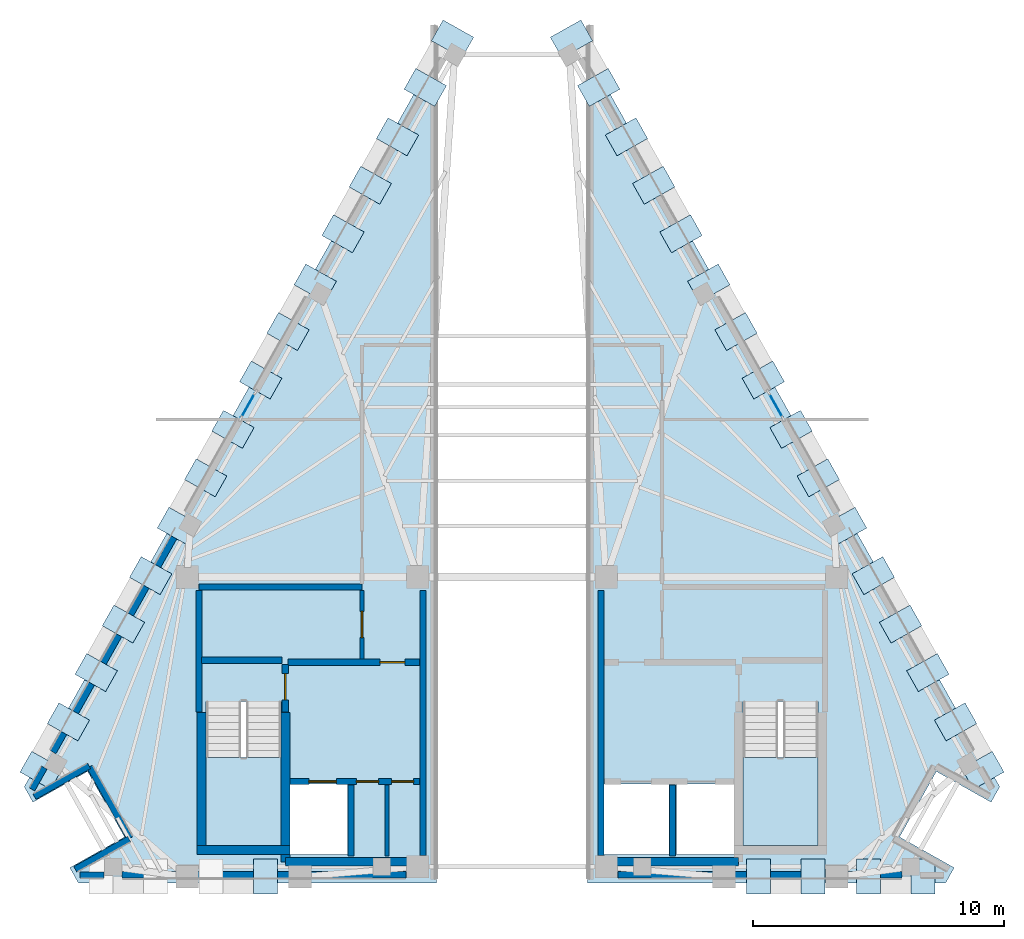
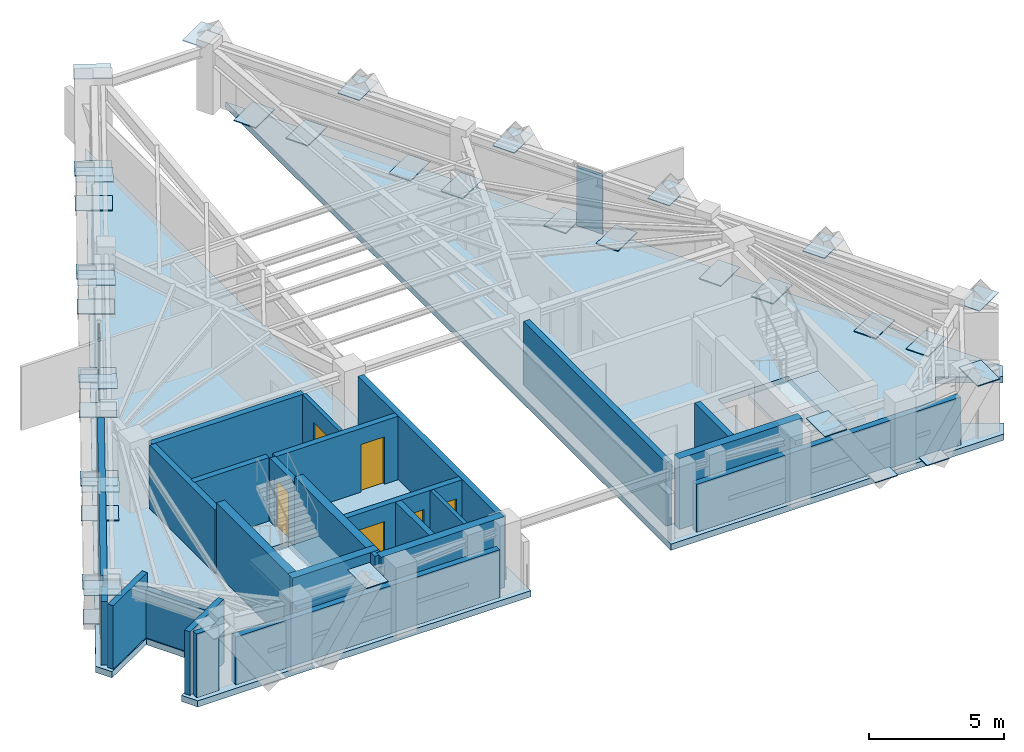
# One storey, part 3 of 6: 39 plates, 25 walls, 6 doors, 4 slabs, 6 openings, 4 elements without a shape of their own.
"""IFC4 building model written with IfcOpenShell, lengths in metres."""

import ifcopenshell
import ifcopenshell.guid

model = None  # the IFC model being written
_history = None  # IfcOwnerHistory: only IFC2X3 demands one
_inside = {}  # id of a spatial element -> (the spatial element, [elements in it])
_under = {}  # id of a project, library or spatial element -> (it, [spatial elements below it])
_declared = {}  # id of a project -> (the project, [libraries it declares])
_typed = {}  # id of a type object -> (the type object, [elements of that type])
_made_of = {}  # id of a material, layer set ... -> (it, [elements and type objects made of it])


def new_model(schema):
    """Start an empty IFC model of exactly this schema.

    Asked for "IFC4X3", IfcOpenShell would pick the latest addendum, in which some entities
    have other attributes; the version numbers below select the first issue.
    IFC2X3 requires an IfcOwnerHistory on every rooted entity: one is made here for all.
    """
    global model, _history
    if schema == "IFC4X3":
        model = ifcopenshell.file(schema_version=(4, 3, 0, 0))
    else:
        model = ifcopenshell.file(schema=schema)
    _inside.clear()
    _under.clear()
    _declared.clear()
    _typed.clear()
    _made_of.clear()
    _history = None
    if model.schema == "IFC2X3":
        org = make("IfcOrganization", Name="unknown")
        user = make(
            "IfcPersonAndOrganization",
            ThePerson=make("IfcPerson", FamilyName="unknown"),
            TheOrganization=org,
        )
        app = make(
            "IfcApplication",
            ApplicationDeveloper=org,
            Version="unknown",
            ApplicationFullName="unknown",
            ApplicationIdentifier="unknown",
        )
        _history = make(
            "IfcOwnerHistory",
            OwningUser=user,
            OwningApplication=app,
            ChangeAction="ADDED",
            CreationDate=0,
        )
    return model


def make(cls, **values):
    """One entity of the class cls with the attributes given. An attribute that is None is left unset."""
    return model.create_entity(
        cls, **{name: value for name, value in values.items() if value is not None}
    )


def rooted(cls, **values):
    """An entity with a GlobalId (a new one), such as an element, a storey or a relation."""
    return make(cls, GlobalId=ifcopenshell.guid.new(), OwnerHistory=_history, **values)


def si_unit(unit_type, name, prefix=None):
    """IfcSIUnit, for example si_unit("LENGTHUNIT", "METRE", prefix="MILLI")."""
    return make("IfcSIUnit", UnitType=unit_type, Prefix=prefix, Name=name)


def assignment(units):
    """IfcUnitAssignment: the units of a project."""
    return None if units is None else make("IfcUnitAssignment", Units=units)


def point(xyz):
    """IfcCartesianPoint."""
    return None if xyz is None else make("IfcCartesianPoint", Coordinates=xyz)


def direction(xyz):
    """IfcDirection."""
    return None if xyz is None else make("IfcDirection", DirectionRatios=xyz)


def frame(location, z_axis=None, x_axis=None):
    """IfcAxis2Placement3D, a coordinate frame: its origin and axes. An axis left out is left unset."""
    return make(
        "IfcAxis2Placement3D",
        Location=point(location),
        Axis=direction(z_axis),
        RefDirection=direction(x_axis),
    )


def frame_2d(location, x_axis=None):
    """IfcAxis2Placement2D, a coordinate frame in the plane: its origin and x axis."""
    return make(
        "IfcAxis2Placement2D", Location=point(location), RefDirection=direction(x_axis)
    )


def origin():
    """The frame at (0, 0, 0) with its axes left unset."""
    return frame((0.0, 0.0, 0.0))


def origin_2d():
    """The frame at (0, 0) in the plane with its x axis left unset."""
    return frame_2d((0.0, 0.0))


def place(relative_to, where):
    """IfcLocalPlacement: puts the frame where relative to a parent placement (None: the world)."""
    return make(
        "IfcLocalPlacement", PlacementRelTo=relative_to, RelativePlacement=where
    )


def context(
    kind, dimensions, precision=None, world=None, true_north=None, identifier=None
):
    """IfcGeometricRepresentationContext, for example the 3D "Model" context."""
    return make(
        "IfcGeometricRepresentationContext",
        ContextIdentifier=identifier,
        ContextType=kind,
        CoordinateSpaceDimension=dimensions,
        Precision=precision,
        WorldCoordinateSystem=world,
        TrueNorth=true_north,
    )


def subcontext(parent, identifier, kind, view, scale=None):
    """IfcGeometricRepresentationSubContext, for example "Body" below "Model"."""
    return make(
        "IfcGeometricRepresentationSubContext",
        ContextIdentifier=identifier,
        ContextType=kind,
        ParentContext=parent,
        TargetScale=scale,
        TargetView=view,
    )


def project(units=None, contexts=None):
    """IfcProject with its units and contexts."""
    return rooted(
        "IfcProject",
        Name="project",
        RepresentationContexts=contexts,
        UnitsInContext=assignment(units),
    )


def spatial(cls, under=None, at=None, **own):
    """A site, building, storey or space (cls), placed at a placement, below another one or the project."""
    s = rooted(cls, ObjectPlacement=at, **own)
    if under is not None:
        _under.setdefault(under.id(), (under, []))[1].append(s)
    return s


def polyline(points):
    """IfcPolyline through the points."""
    return make("IfcPolyline", Points=[point(p) for p in points])


def profile(cls, at=None, kind="AREA", **sizes):
    """A parametric profile (cls). Its sizes go by their IFC names, for example OverallWidth=200.0."""
    return make(cls, ProfileType=kind, Position=at, **sizes)


def rectangle(**sizes):
    """IfcRectangleProfileDef."""
    return profile("IfcRectangleProfileDef", **sizes)


def outline(outer, holes=None, kind="AREA"):
    """IfcArbitraryClosedProfileDef: a profile drawn as a closed curve; with holes, ...WithVoids."""
    if holes is None:
        return make("IfcArbitraryClosedProfileDef", ProfileType=kind, OuterCurve=outer)
    return make(
        "IfcArbitraryProfileDefWithVoids",
        ProfileType=kind,
        OuterCurve=outer,
        InnerCurves=holes,
    )


def extrude(swept, where, along, depth):
    """IfcExtrudedAreaSolid: the profile swept, set in the frame where, extruded along a direction by depth."""
    return make(
        "IfcExtrudedAreaSolid",
        SweptArea=swept,
        Position=where,
        ExtrudedDirection=direction(along),
        Depth=depth,
    )


def shape(context_of_items, identifier, shape_type, items):
    """IfcShapeRepresentation: the items that make up one representation, for example the "Body"."""
    return make(
        "IfcShapeRepresentation",
        ContextOfItems=context_of_items,
        RepresentationIdentifier=identifier,
        RepresentationType=shape_type,
        Items=items,
    )


def material(Name=None, Category=None):
    """IfcMaterial."""
    return make("IfcMaterial", Name=Name, Category=Category)


def layer(
    of_material, thickness, ventilated=None, Name=None, Category=None, Priority=None
):
    """IfcMaterialLayer: one layer of a wall or slab, of a material (None: an air gap)."""
    return make(
        "IfcMaterialLayer",
        Material=of_material,
        LayerThickness=thickness,
        IsVentilated=ventilated,
        Name=Name,
        Category=Category,
        Priority=Priority,
    )


def layer_set(layers, Name=None):
    """IfcMaterialLayerSet."""
    return make("IfcMaterialLayerSet", MaterialLayers=layers, LayerSetName=Name)


def made_of(thing, what):
    """Note that an element or type object is made of a material, layer set ...; save() writes the relation."""
    if what is not None:
        _made_of.setdefault(what.id(), (what, []))[1].append(thing)
    return thing


def type_object(cls, material=None, **own):
    """A type object (cls), such as IfcWallType, which elements share."""
    return made_of(rooted(cls, **own), material)


def element(
    cls,
    number,
    at=None,
    inside=None,
    cuts=None,
    type_object=None,
    material=None,
    context=None,
    identifier="Body",
    shape_type=None,
    held_by="IfcProductDefinitionShape",
    body=None,
    shapes=None,
    **own,
):
    """One element of the class cls, such as IfcWall. Its Tag is "e" and its number.

    at: its placement. inside: the storey or other place that contains it. cuts: it is an
    opening in that element (IfcRelVoidsElement). A single representation is given by context,
    identifier, shape_type and body (its items); several are given by shapes. held_by: the class
    of the entity that holds the representations. save() writes the other relations.
    """
    e = rooted(cls, Tag="e%d" % number, ObjectPlacement=at, **own)
    if body is not None:
        shapes = [shape(context, identifier, shape_type, body)]
    if shapes is not None:
        e.Representation = make(held_by, Representations=shapes)
    if inside is not None:
        _inside.setdefault(inside.id(), (inside, []))[1].append(e)
    if cuts is not None:
        rooted(
            "IfcRelVoidsElement", RelatingBuildingElement=cuts, RelatedOpeningElement=e
        )
    if type_object is not None:
        _typed.setdefault(type_object.id(), (type_object, []))[1].append(e)
    return made_of(e, material)


def fill(opening, filler):
    """IfcRelFillsElement: the door or window that sits in an opening."""
    return rooted(
        "IfcRelFillsElement",
        RelatingOpeningElement=opening,
        RelatedBuildingElement=filler,
    )


def aggregate(whole, parts):
    """IfcRelAggregates: a whole, such as a stair, and the parts it consists of."""
    return rooted("IfcRelAggregates", RelatingObject=whole, RelatedObjects=parts)


def save(model, path):
    """Write the relations noted so far, then the file.

    IfcRelAggregates (storeys below a building ...), IfcRelContainedInSpatialStructure (elements
    in a storey), IfcRelDefinesByType, IfcRelAssociatesMaterial and IfcRelDeclares: one each for
    every whole, place, type object, material and project.
    """
    for whole, parts in _under.values():
        aggregate(whole, parts)
    for where, things in _inside.values():
        rooted(
            "IfcRelContainedInSpatialStructure",
            RelatedElements=things,
            RelatingStructure=where,
        )
    for kind, things in _typed.values():
        rooted("IfcRelDefinesByType", RelatedObjects=things, RelatingType=kind)
    for what, things in _made_of.values():
        rooted("IfcRelAssociatesMaterial", RelatedObjects=things, RelatingMaterial=what)
    for by, libraries in _declared.values():
        rooted("IfcRelDeclares", RelatingContext=by, RelatedDefinitions=libraries)
    model.write(path)


model = new_model("IFC4")

# Units and contexts
model_context = context("Model", 3, precision=1e-05, world=origin(), true_north=direction((0.0, 1.0)))
body_context = subcontext(model_context, "Body", "Model", "MODEL_VIEW")
ifc_project = project(units=[si_unit("LENGTHUNIT", "METRE"), si_unit("AREAUNIT", "SQUARE_METRE"), si_unit("VOLUMEUNIT", "CUBIC_METRE"), si_unit("PLANEANGLEUNIT", "RADIAN"), si_unit("MASSUNIT", "GRAM", prefix="KILO")], contexts=[model_context])

# Site, building, storey
site_placement = place(None, origin())
site = spatial("IfcSite", under=ifc_project, at=site_placement, CompositionType="ELEMENT")
building_placement = place(site_placement, origin())
building = spatial("IfcBuilding", under=site, at=building_placement, Name="Quenlor Broadcast Tower", CompositionType="ELEMENT")
storey_placement = place(building_placement, frame((0.0, 0.0, 277.300048828125)))
storey = spatial("IfcBuildingStorey", under=building, at=storey_placement, Name="L77", CompositionType="ELEMENT", Elevation=277.300048828125)

# Curtain wall, plate
ifc_material_1 = material(Name="Architectural Terracotta and Low-E Glazing", Category="masonry")
curtain_wall_type = type_object("IfcCurtainWallType", Name="Station Concourse and Crown Terracotta Curtain Wall", PredefinedType="NOTDEFINED", material=ifc_material_1)
curtain_wall_1_placement = place(storey_placement, origin())
curtain_wall_1 = element("IfcCurtainWall", 1, at=curtain_wall_1_placement, inside=storey, type_object=curtain_wall_type, Name="L77 Curtain Wall CW6 (L77-NE-G1)", PredefinedType="NOTDEFINED")
ifc_material_2 = material(Name="Double Glazed Low-E Solar Glass", Category="glass")
ifc_layer_1 = layer(ifc_material_2, 0.033935546875)
ifc_layer_set_1 = layer_set([ifc_layer_1], Name="CW6 Double Glazed Vision Panel 34")
plate_type_1 = type_object("IfcPlateType", Name="CW6 Double Glazed Vision Panel 34", PredefinedType="CURTAIN_PANEL", material=ifc_layer_set_1)
plate_1_placement = place(storey_placement, frame((10.5166015625, 2.040771484375, 0.08203125), z_axis=(0.0, 0.0, 1.0), x_axis=(0.490302065441, -0.871552571349, 0.0)))
plate_1 = element("IfcPlate", 2, at=plate_1_placement, type_object=plate_type_1, Name="CW6 panel 1.1", PredefinedType="CURTAIN_PANEL", context=body_context, shape_type="SweptSolid", body=[
    extrude(rectangle(XDim=1.115234375, YDim=0.033935546875, at=origin_2d()), origin(), (0.0, 0.0, 1.0), 2.716064453125),
])
aggregate(curtain_wall_1, [plate_1])

curtain_wall_2_placement = place(storey_placement, origin())
curtain_wall_2 = element("IfcCurtainWall", 3, at=curtain_wall_2_placement, inside=storey, type_object=curtain_wall_type, Name="L77 Curtain Wall CW6 (L77-NW-G1)", PredefinedType="NOTDEFINED")
plate_2_placement = place(storey_placement, frame((-10.5166015625, 2.040771484375, 0.08203125), z_axis=(0.0, 0.0, 1.0), x_axis=(0.490302065441, 0.871552571349, 0.0)))
plate_2 = element("IfcPlate", 4, at=plate_2_placement, type_object=plate_type_1, Name="CW6 panel 1.1", PredefinedType="CURTAIN_PANEL", context=body_context, shape_type="SweptSolid", body=[
    extrude(rectangle(XDim=1.115234375, YDim=0.033935546875, at=origin_2d()), origin(), (0.0, 0.0, 1.0), 2.716064453125),
])
aggregate(curtain_wall_2, [plate_2])

# Stair, slab
ifc_material_3 = material(Name="Precast concrete C40/50", Category="concrete")
stair_type = type_object("IfcStairType", Name="Precast Concrete C40/50 Dogleg Stair H320", PredefinedType="HALF_TURN_STAIR", material=ifc_material_3)
stair_1_placement = place(storey_placement, origin())
stair_1 = element("IfcStair", 5, at=stair_1_placement, inside=storey, type_object=stair_type, Name="L77 West Core Fire-Isolated Exit Stair ST-1", PredefinedType="HALF_TURN_STAIR")
ifc_material_4 = material(Name="Precast concrete C40/50", Category="concrete")
ifc_layer_2 = layer(ifc_material_4, 0.199951171875)
ifc_layer_set_2 = layer_set([ifc_layer_2], Name="Precast Concrete C40/50 Stair Landing Slab 200")
slab_type_1 = type_object("IfcSlabType", Name="Precast Concrete C40/50 Stair Landing Slab 200", PredefinedType="LANDING", material=ifc_layer_set_2)
slab_1_placement = place(storey_placement, frame((0.0, 0.0, 1.39990234375)))
slab_1 = element("IfcSlab", 6, at=slab_1_placement, type_object=slab_type_1, Name="ST-1 landing 1", PredefinedType="LANDING", context=body_context, shape_type="SweptSolid", body=[
    extrude(outline(polyline([(-12.199951171875, -11.989990234375), (-12.199951171875, -15.5), (-9.199951171875, -15.5), (-9.199951171875, -11.989990234375), (-12.199951171875, -11.989990234375)])), origin(), (0.0, 0.0, 1.0), 0.199951171875),
])
aggregate(stair_1, [slab_1])

stair_2_placement = place(storey_placement, origin())
stair_2 = element("IfcStair", 7, at=stair_2_placement, inside=storey, type_object=stair_type, Name="L77 East Core Fire-Isolated Exit Stair ST-2", PredefinedType="HALF_TURN_STAIR")
slab_2_placement = place(storey_placement, frame((0.0, 0.0, 1.39990234375)))
slab_2 = element("IfcSlab", 8, at=slab_2_placement, type_object=slab_type_1, Name="ST-2 landing 1", PredefinedType="LANDING", context=body_context, shape_type="SweptSolid", body=[
    extrude(outline(polyline([(9.199951171875, -11.989990234375), (9.199951171875, -15.5), (12.199951171875, -15.5), (12.199951171875, -11.989990234375), (9.199951171875, -11.989990234375)])), origin(), (0.0, 0.0, 1.0), 0.199951171875),
])
aggregate(stair_2, [slab_2])

# Plates
ifc_material_5 = material(Name="Steel S355", Category="steel")
ifc_layer_3 = layer(ifc_material_5, 0.035888671875)
ifc_layer_set_3 = layer_set([ifc_layer_3], Name="Transfer Truss Steel S355 Gusset Node Plate 1400x950x36")
plate_type_2 = type_object("IfcPlateType", Name="Transfer Truss Steel S355 Gusset Node Plate 1400x950x36", PredefinedType="SHEET", material=ifc_layer_set_3)
for number, where, z_axis, x_axis, name in (
    (9, (11.998779296875, -16.735107421875, 0.0419921875), (0.0, 0.0, 1.0), (0.0, -1.0, 0.0), "L77 Lattice Tie Gusset Node S-B2"),
    (10, (9.827880859375, -16.735107421875, 2.8818359375), (0.0, 0.0, 1.0), (0.0, -1.0, 0.0), "L77 Lattice Tie Gusset Node S-T3"),
    (11, (14.208984375, -16.735107421875, 0.0419921875), (0.0, 0.0, 1.0), (0.0, -1.0, 0.0), "L77 Lattice Tie Gusset Node S-B1"),
    (12, (16.3798828125, -16.735107421875, 2.8818359375), (0.0, 0.0, 1.0), (0.0, -1.0, 0.0), "L77 Lattice Tie Gusset Node S-T0"),
    (13, (-9.827880859375, -16.735107421875, 2.8818359375), (0.0, 0.0, 1.0), (0.0, -1.0, 0.0), "L77 Lattice Tie Gusset Node S-T12"),
    (14, (4.56298828125, 12.747314453125, 0.0419921875), (0.0, 0.0, 1.0), (0.871556314255, 0.490295412055, 0.0), "L77 Lattice Tie Gusset Node NE-B2"),
    (15, (5.649658203125, 10.8154296875, 2.8818359375), (0.0, 0.0, 1.0), (0.871556314255, 0.490295412055, 0.0), "L77 Lattice Tie Gusset Node NE-T3"),
    (16, (3.456787109375, 14.7138671875, 0.0419921875), (0.0, 0.0, 1.0), (0.871556314255, 0.490295412055, 0.0), "L77 Lattice Tie Gusset Node NE-B1"),
    (17, (2.3701171875, 16.645751953125, 2.8818359375), (0.0, 0.0, 1.0), (0.871556314255, 0.490295412055, 0.0), "L77 Lattice Tie Gusset Node NE-T0"),
    (18, (7.842529296875, 6.9169921875, 0.0419921875), (0.0, 0.0, 1.0), (0.871556314255, 0.490295412055, 0.0), "L77 Lattice Tie Gusset Node NE-B5"),
    (19, (8.92919921875, 4.985107421875, 2.8818359375), (0.0, 0.0, 1.0), (0.871556314255, 0.490295412055, 0.0), "L77 Lattice Tie Gusset Node NE-T6"),
    (20, (6.736328125, 8.8837890625, 0.0419921875), (0.0, 0.0, 1.0), (0.871556314255, 0.490295412055, 0.0), "L77 Lattice Tie Gusset Node NE-B4"),
    (21, (11.1220703125, 1.086669921875, 0.0419921875), (0.0, 0.0, 1.0), (0.871556314255, 0.490295412055, 0.0), "L77 Lattice Tie Gusset Node NE-B8"),
    (22, (12.208740234375, -0.844970703125, 2.8818359375), (0.0, 0.0, 1.0), (0.871556314255, 0.490295412055, 0.0), "L77 Lattice Tie Gusset Node NE-T9"),
    (23, (10.015869140625, 3.053466796875, 0.0419921875), (0.0, 0.0, 1.0), (0.871556314255, 0.490295412055, 0.0), "L77 Lattice Tie Gusset Node NE-B7"),
    (24, (14.401611328125, -4.743408203125, 0.0419921875), (0.0, 0.0, 1.0), (0.871556314255, 0.490295412055, 0.0), "L77 Lattice Tie Gusset Node NE-B11"),
    (25, (15.48828125, -6.67529296875, 2.8818359375), (0.0, 0.0, 1.0), (0.871556314255, 0.490295412055, 0.0), "L77 Lattice Tie Gusset Node NE-T12"),
    (26, (13.29541015625, -2.77685546875, 0.0419921875), (0.0, 0.0, 1.0), (0.871556314255, 0.490295412055, 0.0), "L77 Lattice Tie Gusset Node NE-B10"),
    (27, (17.68115234375, -10.57373046875, 0.0419921875), (0.0, 0.0, 1.0), (0.871556314255, 0.490295412055, 0.0), "L77 Lattice Tie Gusset Node NE-B14"),
    (28, (18.767822265625, -12.505615234375, 2.8818359375), (0.0, 0.0, 1.0), (0.871556314255, 0.490295412055, 0.0), "L77 Lattice Tie Gusset Node NE-T15"),
    (29, (16.574951171875, -8.60693359375, 0.0419921875), (0.0, 0.0, 1.0), (0.871556314255, 0.490295412055, 0.0), "L77 Lattice Tie Gusset Node NE-B13"),
    (30, (-16.574951171875, -8.60693359375, 0.0419921875), (0.0, 0.0, 1.0), (-0.871556314255, 0.490295412055, 0.0), "L77 Lattice Tie Gusset Node NW-B2"),
    (31, (-15.48828125, -6.67529296875, 2.8818359375), (0.0, 0.0, 1.0), (-0.871556314255, 0.490295412055, 0.0), "L77 Lattice Tie Gusset Node NW-T3"),
    (32, (-17.68115234375, -10.57373046875, 0.0419921875), (0.0, 0.0, 1.0), (-0.871556314255, 0.490295412055, 0.0), "L77 Lattice Tie Gusset Node NW-B1"),
    (33, (-18.767822265625, -12.505615234375, 2.8818359375), (0.0, 0.0, 1.0), (-0.871556314255, 0.490295412055, 0.0), "L77 Lattice Tie Gusset Node NW-T0"),
    (34, (-13.29541015625, -2.77685546875, 0.0419921875), (0.0, 0.0, 1.0), (-0.871556314255, 0.490295412055, 0.0), "L77 Lattice Tie Gusset Node NW-B5"),
    (35, (-12.208740234375, -0.844970703125, 2.8818359375), (0.0, 0.0, 1.0), (-0.871556314255, 0.490295412055, 0.0), "L77 Lattice Tie Gusset Node NW-T6"),
    (36, (-14.401611328125, -4.743408203125, 0.0419921875), (0.0, 0.0, 1.0), (-0.871556314255, 0.490295412055, 0.0), "L77 Lattice Tie Gusset Node NW-B4"),
    (37, (-10.015869140625, 3.053466796875, 0.0419921875), (0.0, 0.0, 1.0), (-0.871556314255, 0.490295412055, 0.0), "L77 Lattice Tie Gusset Node NW-B8"),
    (38, (-8.92919921875, 4.985107421875, 2.8818359375), (0.0, 0.0, 1.0), (-0.871556314255, 0.490295412055, 0.0), "L77 Lattice Tie Gusset Node NW-T9"),
    (39, (-11.1220703125, 1.086669921875, 0.0419921875), (0.0, 0.0, 1.0), (-0.871556314255, 0.490295412055, 0.0), "L77 Lattice Tie Gusset Node NW-B7"),
    (40, (-6.736328125, 8.8837890625, 0.0419921875), (0.0, 0.0, 1.0), (-0.871556314255, 0.490295412055, 0.0), "L77 Lattice Tie Gusset Node NW-B11"),
    (41, (-5.649658203125, 10.8154296875, 2.8818359375), (0.0, 0.0, 1.0), (-0.871556314255, 0.490295412055, 0.0), "L77 Lattice Tie Gusset Node NW-T12"),
    (42, (-7.842529296875, 6.9169921875, 0.0419921875), (0.0, 0.0, 1.0), (-0.871556314255, 0.490295412055, 0.0), "L77 Lattice Tie Gusset Node NW-B10"),
    (43, (-3.456787109375, 14.7138671875, 0.0419921875), (0.0, 0.0, 1.0), (-0.871556314255, 0.490295412055, 0.0), "L77 Lattice Tie Gusset Node NW-B14"),
    (44, (-2.3701171875, 16.645751953125, 2.8818359375), (0.0, 0.0, 1.0), (-0.871556314255, 0.490295412055, 0.0), "L77 Lattice Tie Gusset Node NW-T15"),
    (45, (-4.56298828125, 12.747314453125, 0.0419921875), (0.0, 0.0, 1.0), (-0.871556314255, 0.490295412055, 0.0), "L77 Lattice Tie Gusset Node NW-B13"),
):
    element("IfcPlate", number, at=place(storey_placement, frame(where, z_axis=z_axis, x_axis=x_axis)), inside=storey, type_object=plate_type_2, Name=name, PredefinedType="SHEET", context=body_context, shape_type="SweptSolid", body=[
        extrude(rectangle(XDim=1.39990234375, YDim=0.949951171875, at=origin_2d()), origin(), (0.0, 0.0, 1.0), 0.035888671875),
    ])

# Slabs
ifc_material_6 = material(Name="Concrete C50/60", Category="concrete")
ifc_layer_4 = layer(ifc_material_6, 0.280029296875)
ifc_layer_set_4 = layer_set([ifc_layer_4], Name="Wind Portal Wing Concrete C50/60 Slab 280")
slab_type_2 = type_object("IfcSlabType", Name="Wind Portal Wing Concrete C50/60 Slab 280", PredefinedType="FLOOR", material=ifc_layer_set_4)
slab_3_placement = place(storey_placement, frame((0.0, 0.0, -0.280029296875)))
element("IfcSlab", 46, at=slab_3_placement, inside=storey, type_object=slab_type_2, Name="L77 Wind Portal W Wing Slab", PredefinedType="FLOOR", context=body_context, shape_type="SweptSolid", body=[
    extrude(outline(polyline([(-17.280029296875, -17.0), (-17.62548828125, -16.385498046875), (-15.44677734375, -15.159912109375), (-16.91552734375, -12.548583984375), (-19.094482421875, -13.7744140625), (-19.43994140625, -13.159912109375), (-3.0, 16.066650390625), (-3.0, -17.0), (-17.280029296875, -17.0)]), holes=[polyline([(-12.199951171875, -9.758056640625), (-12.199951171875, -15.5), (-9.199951171875, -15.5), (-9.199951171875, -9.758056640625), (-12.199951171875, -9.758056640625)]), polyline([(-8.85009765625, -15.85009765625), (-6.550048828125, -15.85009765625), (-6.550048828125, -13.050048828125), (-8.85009765625, -13.050048828125), (-8.85009765625, -15.85009765625)])]), origin(), (0.0, 0.0, 1.0), 0.280029296875),
])
slab_4_placement = place(storey_placement, frame((0.0, 0.0, -0.280029296875)))
element("IfcSlab", 47, at=slab_4_placement, inside=storey, type_object=slab_type_2, Name="L77 Wind Portal E Wing Slab", PredefinedType="FLOOR", context=body_context, shape_type="SweptSolid", body=[
    extrude(outline(polyline([(19.43994140625, -13.159912109375), (19.094482421875, -13.7744140625), (16.91552734375, -12.548583984375), (15.44677734375, -15.159912109375), (17.62548828125, -16.385498046875), (17.280029296875, -17.0), (3.0, -17.0), (3.0, 16.066650390625), (19.43994140625, -13.159912109375)]), holes=[polyline([(9.199951171875, -9.758056640625), (9.199951171875, -15.5), (12.199951171875, -15.5), (12.199951171875, -9.758056640625), (9.199951171875, -9.758056640625)]), polyline([(6.550048828125, -15.85009765625), (8.85009765625, -15.85009765625), (8.85009765625, -13.050048828125), (6.550048828125, -13.050048828125), (6.550048828125, -15.85009765625)]), polyline([(3.64990234375, -15.85009765625), (6.25, -15.85009765625), (6.25, -13.050048828125), (3.64990234375, -13.050048828125), (3.64990234375, -15.85009765625)])]), origin(), (0.0, 0.0, 1.0), 0.280029296875),
])

# Walls
ifc_material_7 = material(Name="Concrete C50/60", Category="concrete")
ifc_layer_5 = layer(ifc_material_7, 0.35009765625)
ifc_layer_set_5 = layer_set([ifc_layer_5], Name="Core Concrete C50/60 Shear Wall 350")
wall_type_1 = type_object("IfcWallType", Name="Core Concrete C50/60 Shear Wall 350", PredefinedType="SHEAR", material=ifc_layer_set_5)
wall_1_placement = place(storey_placement, frame((-12.550048828125, -15.675048828125, 0.0), z_axis=(0.0, 0.0, 1.0), x_axis=(1.0, 0.0, 0.0)))
element("IfcWall", 48, at=wall_1_placement, inside=storey, type_object=wall_type_1, Name="L77 Core Shear Wall WS-W1", PredefinedType="SHEAR", context=body_context, shape_type="SweptSolid", body=[
    extrude(rectangle(XDim=3.699951171875, YDim=0.35009765625, at=frame_2d((1.85009765625, 0.0))), origin(), (0.0, 0.0, 1.0), 3.199951171875),
])
for number, where, z_axis, x_axis, name in (
    (49, (-9.02490234375, -16.14990234375, 0.0), (0.0, 0.0, 1.0), (1.0, 0.0, 0.0), "L77 Core Shear Wall WS-W2"),
    (50, (3.75, -16.14990234375, 0.0), (0.0, 0.0, 1.0), (1.0, 0.0, 0.0), "L77 Core Shear Wall WS-E1"),
):
    element("IfcWall", number, at=place(storey_placement, frame(where, z_axis=z_axis, x_axis=x_axis)), inside=storey, type_object=wall_type_1, Name=name, PredefinedType="SHEAR", context=body_context, shape_type="SweptSolid", body=[
        extrude(rectangle(XDim=5.27490234375, YDim=0.35009765625, at=frame_2d((2.637451171875, 0.0))), origin(), (0.0, 0.0, 1.0), 3.199951171875),
    ])
wall_2_placement = place(storey_placement, frame((-12.375, -15.675048828125, 0.0), z_axis=(0.0, 0.0, 1.0), x_axis=(0.0, 1.0, 0.0)))
element("IfcWall", 51, at=wall_2_placement, inside=storey, type_object=wall_type_1, Name="L77 Core Shear Wall WF-W", PredefinedType="SHEAR", context=body_context, shape_type="SweptSolid", body=[
    extrude(rectangle(XDim=5.47509765625, YDim=0.35009765625, at=frame_2d((2.737548828125, 0.0))), origin(), (0.0, 0.0, 1.0), 3.199951171875),
])
wall_3_placement = place(storey_placement, frame((-9.02490234375, -16.14990234375, 0.0), z_axis=(0.0, 0.0, 1.0), x_axis=(0.0, 1.0, 0.0)))
element("IfcWall", 52, at=wall_3_placement, inside=storey, type_object=wall_type_1, Name="L77 Core Shear Wall WI-W", PredefinedType="SHEAR", context=body_context, shape_type="SweptSolid", body=[
    extrude(rectangle(XDim=5.949951171875, YDim=0.35009765625, at=frame_2d((2.97509765625, 0.0))), origin(), (0.0, 0.0, 1.0), 3.199951171875),
])

# Wall, opening, door
ifc_material_8 = material(Name="Concrete C40/50", Category="concrete")
ifc_layer_6 = layer(ifc_material_8, 0.25)
ifc_layer_set_6 = layer_set([ifc_layer_6], Name="Fire Rated Concrete C40/50 Core Wall 250")
wall_type_2 = type_object("IfcWallType", Name="Fire Rated Concrete C40/50 Core Wall 250", PredefinedType="PARTITIONING", material=ifc_layer_set_6)
wall_4_placement = place(storey_placement, frame((-9.0400390625, -10.179931640625, 0.0), z_axis=(0.0, 0.0, 1.0), x_axis=(0.0, 1.0, 0.0)))
wall_4 = element("IfcWall", 53, at=wall_4_placement, inside=storey, type_object=wall_type_2, Name="L77 Interior Wall CW-ST1-DR", PredefinedType="PARTITIONING", context=body_context, shape_type="SweptSolid", body=[
    extrude(rectangle(XDim=1.89990234375, YDim=0.25, at=frame_2d((0.949951171875, 0.0))), origin(), (0.0, 0.0, 1.0), 2.8798828125),
])
opening_1_placement = place(wall_4_placement, frame((0.47998046875, 0.0, 0.0)))
opening_1 = element("IfcOpeningElement", 54, at=opening_1_placement, cuts=wall_4, Name="Opening FD-1", PredefinedType="OPENING", context=body_context, shape_type="SweptSolid", body=[
    extrude(rectangle(XDim=1.050048828125, YDim=2.14990234375, at=frame_2d((0.52490234375, 1.074951171875))), frame((0.0, 0.135009765625, 0.0), z_axis=(0.0, -1.0, 0.0), x_axis=(1.0, 0.0, 0.0)), (0.0, 0.0, 1.0), 0.27001953125),
])
ifc_material_9 = material(Name="Fire Rated Steel Door Leaf", Category="steel")
door_type_1 = type_object("IfcDoorType", Name="Fire Isolated Stair Door 1050x2150", OperationType="NOTDEFINED", PredefinedType="DOOR", material=ifc_material_9)
door_1_placement = place(opening_1_placement, origin())
door_1 = element("IfcDoor", 55, at=door_1_placement, inside=storey, type_object=door_type_1, Name="L77 Door DR-ST1", OperationType="SINGLE_SWING_LEFT", OverallHeight=2.14990234375, OverallWidth=1.050048828125, PredefinedType="DOOR", context=body_context, shape_type="SweptSolid", body=[
    extrude(rectangle(XDim=1.050048828125, YDim=2.14990234375, at=frame_2d((0.52490234375, 1.074951171875))), frame((0.0, 0.02490234375, 0.0), z_axis=(0.0, -1.0, 0.0), x_axis=(1.0, 0.0, 0.0)), (0.0, 0.0, 1.0), 0.050048828125),
])
fill(opening_1, door_1)

# Walls
wall_5_placement = place(storey_placement, frame((-12.3798828125, -8.1201171875, 0.0), z_axis=(0.0, 0.0, 1.0), x_axis=(1.0, 0.0, 0.0)))
element("IfcWall", 56, at=wall_5_placement, inside=storey, type_object=wall_type_2, Name="L77 Interior Wall CW-ST1-N", PredefinedType="PARTITIONING", context=body_context, shape_type="SweptSolid", body=[
    extrude(rectangle(XDim=3.219970703125, YDim=0.25, at=frame_2d((1.60986328125, 0.0))), origin(), (0.0, 0.0, 1.0), 2.8798828125),
])
wall_6_placement = place(storey_placement, frame((-12.47998046875, -10.179931640625, 0.0), z_axis=(0.0, 0.0, 1.0), x_axis=(0.0, 1.0, 0.0)))
element("IfcWall", 57, at=wall_6_placement, inside=storey, type_object=wall_type_2, Name="L77 Interior Wall CW-ST1-W2", PredefinedType="PARTITIONING", context=body_context, shape_type="SweptSolid", body=[
    extrude(rectangle(XDim=4.83984375, YDim=0.25, at=frame_2d((2.419921875, 0.0))), origin(), (0.0, 0.0, 1.0), 2.8798828125),
])

# Wall, openings, doors
wall_7_placement = place(storey_placement, frame((-8.847900390625, -12.949951171875, 0.0), z_axis=(0.0, 0.0, 1.0), x_axis=(1.0, 0.0, 0.0)))
wall_7 = element("IfcWall", 58, at=wall_7_placement, inside=storey, type_object=wall_type_2, Name="L77 Interior Wall CW-FFW-S", PredefinedType="PARTITIONING", context=body_context, shape_type="SweptSolid", body=[
    extrude(rectangle(XDim=5.16796875, YDim=0.25, at=frame_2d((2.583984375, 0.0))), origin(), (0.0, 0.0, 1.0), 2.8798828125),
])
opening_2_placement = place(wall_7_placement, frame((0.748046875, 0.0, 0.0)))
opening_2 = element("IfcOpeningElement", 59, at=opening_2_placement, cuts=wall_7, Name="Opening LD-FFL-1", PredefinedType="OPENING", context=body_context, shape_type="SweptSolid", body=[
    extrude(rectangle(XDim=1.10009765625, YDim=2.14990234375, at=frame_2d((0.550048828125, 1.074951171875))), frame((0.0, 0.135009765625, 0.0), z_axis=(0.0, -1.0, 0.0), x_axis=(1.0, 0.0, 0.0)), (0.0, 0.0, 1.0), 0.27001953125),
])
opening_3_placement = place(wall_7_placement, frame((2.64794921875, 0.0, 0.0)))
opening_3 = element("IfcOpeningElement", 60, at=opening_3_placement, cuts=wall_7, Name="Opening TD-1", PredefinedType="OPENING", context=body_context, shape_type="SweptSolid", body=[
    extrude(rectangle(XDim=0.8798828125, YDim=2.10009765625, at=frame_2d((0.43994140625, 1.050048828125))), frame((0.0, 0.135009765625, 0.0), z_axis=(0.0, -1.0, 0.0), x_axis=(1.0, 0.0, 0.0)), (0.0, 0.0, 1.0), 0.27001953125),
])
opening_4_placement = place(wall_7_placement, frame((4.048095703125, 0.0, 0.0)))
opening_4 = element("IfcOpeningElement", 61, at=opening_4_placement, cuts=wall_7, Name="Opening TD-1", PredefinedType="OPENING", context=body_context, shape_type="SweptSolid", body=[
    extrude(rectangle(XDim=0.8798828125, YDim=2.10009765625, at=frame_2d((0.43994140625, 1.050048828125))), frame((0.0, 0.135009765625, 0.0), z_axis=(0.0, -1.0, 0.0), x_axis=(1.0, 0.0, 0.0)), (0.0, 0.0, 1.0), 0.27001953125),
])
ifc_material_10 = material(Name="Brushed Stainless Steel", Category="steel")
door_type_2 = type_object("IfcDoorType", Name="Emergency Lift Sliding Landing Door 1100x2150", OperationType="NOTDEFINED", PredefinedType="DOOR", material=ifc_material_10)
door_2_placement = place(opening_2_placement, origin())
door_2 = element("IfcDoor", 62, at=door_2_placement, inside=storey, type_object=door_type_2, Name="L77 Door LD-FFL-1", OperationType="SLIDING_TO_LEFT", OverallHeight=2.14990234375, OverallWidth=1.10009765625, PredefinedType="DOOR", context=body_context, shape_type="SweptSolid", body=[
    extrude(rectangle(XDim=1.10009765625, YDim=2.14990234375, at=frame_2d((0.550048828125, 1.074951171875))), frame((0.0, 0.02490234375, 0.0), z_axis=(0.0, -1.0, 0.0), x_axis=(1.0, 0.0, 0.0)), (0.0, 0.0, 1.0), 0.050048828125),
])
fill(opening_2, door_2)
ifc_material_11 = material(Name="Fire Rated Steel Access Panel", Category="steel")
door_type_3 = type_object("IfcDoorType", Name="Riser Shaft Rated Access Trapdoor 880x2100", OperationType="NOTDEFINED", PredefinedType="TRAPDOOR", material=ifc_material_11)
door_3_placement = place(opening_3_placement, origin())
door_3 = element("IfcDoor", 63, at=door_3_placement, inside=storey, type_object=door_type_3, Name="L77 Door DR-ELR", OperationType="SINGLE_SWING_LEFT", OverallHeight=2.10009765625, OverallWidth=0.8798828125, PredefinedType="TRAPDOOR", context=body_context, shape_type="SweptSolid", body=[
    extrude(rectangle(XDim=0.8798828125, YDim=2.10009765625, at=frame_2d((0.43994140625, 1.050048828125))), frame((0.0, 0.02490234375, 0.0), z_axis=(0.0, -1.0, 0.0), x_axis=(1.0, 0.0, 0.0)), (0.0, 0.0, 1.0), 0.050048828125),
])
fill(opening_3, door_3)
door_4_placement = place(opening_4_placement, origin())
door_4 = element("IfcDoor", 64, at=door_4_placement, inside=storey, type_object=door_type_3, Name="L77 Door DR-CMR", OperationType="SINGLE_SWING_RIGHT", OverallHeight=2.10009765625, OverallWidth=0.8798828125, PredefinedType="TRAPDOOR", context=body_context, shape_type="SweptSolid", body=[
    extrude(rectangle(XDim=0.8798828125, YDim=2.10009765625, at=frame_2d((0.43994140625, 1.050048828125))), frame((0.0, 0.02490234375, 0.0), z_axis=(0.0, -1.0, 0.0), x_axis=(1.0, 0.0, 0.0)), (0.0, 0.0, 1.0), 0.050048828125),
])
fill(opening_4, door_4)

# Walls
for number, where, z_axis, x_axis, name in (
    (65, (-6.419921875, -15.919921875, 0.0), (0.0, 0.0, 1.0), (0.0, 1.0, 0.0), "L77 Interior Wall CW-FF1-E"),
    (66, (6.39990234375, -15.919921875, 0.0), (0.0, 0.0, 1.0), (0.0, 1.0, 0.0), "L77 Interior Wall CW-SV1-E"),
):
    element("IfcWall", number, at=place(storey_placement, frame(where, z_axis=z_axis, x_axis=x_axis)), inside=storey, type_object=wall_type_2, Name=name, PredefinedType="PARTITIONING", context=body_context, shape_type="SweptSolid", body=[
        extrude(rectangle(XDim=2.829833984375, YDim=0.25, at=frame_2d((1.4150390625, 0.0))), origin(), (0.0, 0.0, 1.0), 2.8798828125),
    ])

# Wall, opening, door
wall_8_placement = place(storey_placement, frame((-8.919921875, -8.199951171875, 0.0), z_axis=(0.0, 0.0, 1.0), x_axis=(1.0, 0.0, 0.0)))
wall_8 = element("IfcWall", 67, at=wall_8_placement, inside=storey, type_object=wall_type_2, Name="L77 Interior Wall CW-FFW-N", PredefinedType="PARTITIONING", context=body_context, shape_type="SweptSolid", body=[
    extrude(rectangle(XDim=5.239990234375, YDim=0.25, at=frame_2d((2.6201171875, 0.0))), origin(), (0.0, 0.0, 1.0), 2.8798828125),
])
opening_5_placement = place(wall_8_placement, frame((3.64990234375, 0.0, 0.0)))
opening_5 = element("IfcOpeningElement", 68, at=opening_5_placement, cuts=wall_8, Name="Opening FD-2", PredefinedType="OPENING", context=body_context, shape_type="SweptSolid", body=[
    extrude(rectangle(XDim=1.0, YDim=2.14990234375, at=frame_2d((0.5, 1.074951171875))), frame((0.0, 0.135009765625, 0.0), z_axis=(0.0, -1.0, 0.0), x_axis=(1.0, 0.0, 0.0)), (0.0, 0.0, 1.0), 0.27001953125),
])
ifc_material_12 = material(Name="Fire Rated Glazed Steel Door", Category="steel")
door_type_4 = type_object("IfcDoorType", Name="Firefighting Lobby Smoke Door 1000x2150", OperationType="NOTDEFINED", PredefinedType="DOOR", material=ifc_material_12)
door_5_placement = place(opening_5_placement, origin())
door_5 = element("IfcDoor", 69, at=door_5_placement, inside=storey, type_object=door_type_4, Name="L77 Door DR-FFLW", OperationType="SINGLE_SWING_LEFT", OverallHeight=2.14990234375, OverallWidth=1.0, PredefinedType="DOOR", context=body_context, shape_type="SweptSolid", body=[
    extrude(rectangle(XDim=1.0, YDim=2.14990234375, at=frame_2d((0.5, 1.074951171875))), frame((0.0, 0.02490234375, 0.0), z_axis=(0.0, -1.0, 0.0), x_axis=(1.0, 0.0, 0.0)), (0.0, 0.0, 1.0), 0.050048828125),
])
fill(opening_5, door_5)

# Walls
for number, where, z_axis, x_axis, name in (
    (70, (-3.550048828125, -15.89794921875, 0.0), (0.0, 0.0, 1.0), (0.0, 1.0, 0.0), "L77 Interior Wall CW-FFW-E"),
    (71, (3.550048828125, -15.89794921875, 0.0), (0.0, 0.0, 1.0), (0.0, 1.0, 0.0), "L77 Interior Wall CW-FFE-W"),
):
    element("IfcWall", number, at=place(storey_placement, frame(where, z_axis=z_axis, x_axis=x_axis)), inside=storey, type_object=wall_type_2, Name=name, PredefinedType="PARTITIONING", context=body_context, shape_type="SweptSolid", body=[
        extrude(rectangle(XDim=10.557861328125, YDim=0.25, at=frame_2d((5.27880859375, 0.0))), origin(), (0.0, 0.0, 1.0), 2.8798828125),
    ])
wall_9_placement = place(storey_placement, frame((-12.47998046875, -5.199951171875, 0.0), z_axis=(0.0, 0.0, 1.0), x_axis=(1.0, 0.0, 0.0)))
element("IfcWall", 72, at=wall_9_placement, inside=storey, type_object=wall_type_2, Name="L77 Interior Wall CW-N-W", PredefinedType="PARTITIONING", context=body_context, shape_type="SweptSolid", body=[
    extrude(rectangle(XDim=6.5, YDim=0.25, at=frame_2d((3.25, 0.0))), origin(), (0.0, 0.0, 1.0), 2.8798828125),
])
ifc_material_13 = material(Name="Gypsum Fireboard Partition", Category="other")
ifc_layer_7 = layer(ifc_material_13, 0.159912109375)
ifc_layer_set_7 = layer_set([ifc_layer_7], Name="Fire Rated Shaft and Corridor Partition 160")
wall_type_3 = type_object("IfcWallType", Name="Fire Rated Shaft and Corridor Partition 160", PredefinedType="PARTITIONING", material=ifc_layer_set_7)
wall_10_placement = place(storey_placement, frame((-4.97998046875, -15.919921875, 0.0), z_axis=(0.0, 0.0, 1.0), x_axis=(0.0, 1.0, 0.0)))
element("IfcWall", 73, at=wall_10_placement, inside=storey, type_object=wall_type_3, Name="L77 Interior Wall CW-ELR-E", PredefinedType="PARTITIONING", context=body_context, shape_type="SweptSolid", body=[
    extrude(rectangle(XDim=2.829833984375, YDim=0.159912109375, at=frame_2d((1.4150390625, 0.0))), origin(), (0.0, 0.0, 1.0), 2.8798828125),
])

# Wall, opening, door
wall_11_placement = place(storey_placement, frame((-5.97998046875, -8.072998046875, 0.0), z_axis=(0.0, 0.0, 1.0), x_axis=(0.0, 1.0, 0.0)))
wall_11 = element("IfcWall", 74, at=wall_11_placement, inside=storey, type_object=wall_type_3, Name="L77 Interior Wall CW-CRNEQW-E", PredefinedType="PARTITIONING", context=body_context, shape_type="SweptSolid", body=[
    extrude(rectangle(XDim=2.74609375, YDim=0.159912109375, at=frame_2d((1.373046875, 0.0))), origin(), (0.0, 0.0, 1.0), 2.8798828125),
])
opening_6_placement = place(wall_11_placement, frame((0.85302734375, 0.0, 0.0)))
opening_6 = element("IfcOpeningElement", 75, at=opening_6_placement, cuts=wall_11, Name="Opening FD-3", PredefinedType="OPENING", context=body_context, shape_type="SweptSolid", body=[
    extrude(rectangle(XDim=1.050048828125, YDim=2.1201171875, at=frame_2d((0.52490234375, 1.06005859375))), frame((0.0, 0.08984375, 0.0), z_axis=(0.0, -1.0, 0.0), x_axis=(1.0, 0.0, 0.0)), (0.0, 0.0, 1.0), 0.179931640625),
])
ifc_material_14 = material(Name="Galvanised Fire Steel Leaf", Category="steel")
door_type_5 = type_object("IfcDoorType", Name="Plant Room Fire Rated Door 1050x2120", OperationType="NOTDEFINED", PredefinedType="DOOR", material=ifc_material_14)
door_6_placement = place(opening_6_placement, origin())
door_6 = element("IfcDoor", 76, at=door_6_placement, inside=storey, type_object=door_type_5, Name="L77 Door DR-CRNEQW", OperationType="SINGLE_SWING_RIGHT", OverallHeight=2.1201171875, OverallWidth=1.050048828125, PredefinedType="DOOR", context=body_context, shape_type="SweptSolid", body=[
    extrude(rectangle(XDim=1.050048828125, YDim=2.1201171875, at=frame_2d((0.52490234375, 1.06005859375))), frame((0.0, 0.02490234375, 0.0), z_axis=(0.0, -1.0, 0.0), x_axis=(1.0, 0.0, 0.0)), (0.0, 0.0, 1.0), 0.050048828125),
])
fill(opening_6, door_6)

# Walls
ifc_material_15 = material(Name="Precast concrete C40/50", Category="concrete")
ifc_layer_8 = layer(ifc_material_15, 0.239990234375)
ifc_layer_set_8 = layer_set([ifc_layer_8], Name="Terrace Threshold Precast Concrete C40/50 Wall 240")
wall_type_4 = type_object("IfcWallType", Name="Terrace Threshold Precast Concrete C40/50 Wall 240", PredefinedType="STANDARD", material=ifc_layer_set_8)
wall_12_placement = place(storey_placement, frame((-16.252685546875, -16.675048828125, 0.0), z_axis=(0.0, 0.0, 1.0), x_axis=(-1.0, 0.0, 0.0)))
element("IfcWall", 77, at=wall_12_placement, inside=storey, type_object=wall_type_4, Name="L77 Exterior Wall L77-SHD-SS1", PredefinedType="STANDARD", context=body_context, shape_type="SweptSolid", body=[
    extrude(rectangle(XDim=0.96728515625, YDim=0.239990234375, at=frame_2d((0.483642578125, 0.0))), origin(), (0.0, 0.0, 1.0), 2.8798828125),
])
wall_13_placement = place(storey_placement, frame((-19.127197265625, -13.26708984375, 0.0), z_axis=(0.0, 0.0, 1.0), x_axis=(0.490261239633, 0.871575537125, 0.0)))
element("IfcWall", 78, at=wall_13_placement, inside=storey, type_object=wall_type_4, Name="L77 Exterior Wall L77-SHD-NWS0", PredefinedType="STANDARD", context=body_context, shape_type="SweptSolid", body=[
    extrude(rectangle(XDim=0.994873046875, YDim=0.239990234375, at=frame_2d((0.49755859375, 0.0))), origin(), (0.0, 0.0, 1.0), 2.8798828125),
])
wall_14_placement = place(storey_placement, frame((-19.033447265625, -13.556396484375, 0.0), z_axis=(0.0, 0.0, 1.0), x_axis=(0.871588577066, 0.490238056792, 0.0)))
element("IfcWall", 79, at=wall_14_placement, inside=storey, type_object=wall_type_4, Name="L77 Exterior Wall L77-CNR-13", PredefinedType="STANDARD", context=body_context, shape_type="SweptSolid", body=[
    extrude(rectangle(XDim=2.5, YDim=0.239990234375, at=frame_2d((1.25, 0.0))), origin(), (0.0, 0.0, 1.0), 2.8798828125),
])
wall_15_placement = place(storey_placement, frame((-16.8349609375, -12.36572265625, 0.0), z_axis=(0.0, 0.0, 1.0), x_axis=(0.490293083368, -0.871557624258, 0.0)))
element("IfcWall", 80, at=wall_15_placement, inside=storey, type_object=wall_type_4, Name="L77 Exterior Wall L77-CNR-14", PredefinedType="STANDARD", context=body_context, shape_type="SweptSolid", body=[
    extrude(rectangle(XDim=3.276123046875, YDim=0.239990234375, at=frame_2d((1.63818359375, 0.0))), origin(), (0.0, 0.0, 1.0), 2.1640625),
])
wall_16_placement = place(storey_placement, frame((-15.263671875, -15.240478515625, 0.0), z_axis=(0.0, 0.0, 1.0), x_axis=(-0.87157023615, -0.490270663468, 0.0)))
element("IfcWall", 81, at=wall_16_placement, inside=storey, type_object=wall_type_4, Name="L77 Exterior Wall L77-CNR-15", PredefinedType="STANDARD", context=body_context, shape_type="SweptSolid", body=[
    extrude(rectangle(XDim=2.4599609375, YDim=0.239990234375, at=frame_2d((1.22998046875, 0.0))), origin(), (0.0, 0.0, 1.0), 2.8798828125),
])
ifc_material_16 = material(Name="Precast concrete C40/50", Category="concrete")
ifc_layer_9 = layer(ifc_material_16, 0.260009765625)
ifc_layer_set_9 = layer_set([ifc_layer_9], Name="Terracotta Precast Concrete C40/50 Upper Wall 260")
wall_type_5 = type_object("IfcWallType", Name="Terracotta Precast Concrete C40/50 Upper Wall 260", PredefinedType="STANDARD", material=ifc_layer_set_9)
for number, where, z_axis, x_axis, name in (
    (82, (15.54248046875, -16.675048828125, 0.0), (0.0, 0.0, 1.0), (-1.0, 0.0, 0.0), "L77 Exterior Wall L77-EW-SA"),
    (83, (-4.219970703125, -16.675048828125, 0.0), (0.0, 0.0, 1.0), (-1.0, 0.0, 0.0), "L77 Exterior Wall L77-EW-SC"),
):
    element("IfcWall", number, at=place(storey_placement, frame(where, z_axis=z_axis, x_axis=x_axis)), inside=storey, type_object=wall_type_5, Name=name, PredefinedType="STANDARD", context=body_context, shape_type="SweptSolid", body=[
        extrude(rectangle(XDim=11.322509765625, YDim=0.260009765625, at=frame_2d((5.6611328125, 0.0))), origin(), (0.0, 0.0, 1.0), 2.1640625),
    ])
wall_17_placement = place(storey_placement, frame((-18.29150390625, -11.781005859375, 0.0), z_axis=(0.0, 0.0, 1.0), x_axis=(0.490270316201, 0.871570431492, 0.0)))
element("IfcWall", 84, at=wall_17_placement, inside=storey, type_object=wall_type_5, Name="L77 Exterior Wall L77-EW-NWA", PredefinedType="STANDARD", context=body_context, shape_type="SweptSolid", body=[
    extrude(rectangle(XDim=10.21630859375, YDim=0.260009765625, at=frame_2d((5.108154296875, 0.0))), origin(), (0.0, 0.0, 1.0), 2.8798828125),
])

save(model, "model.ifc")
